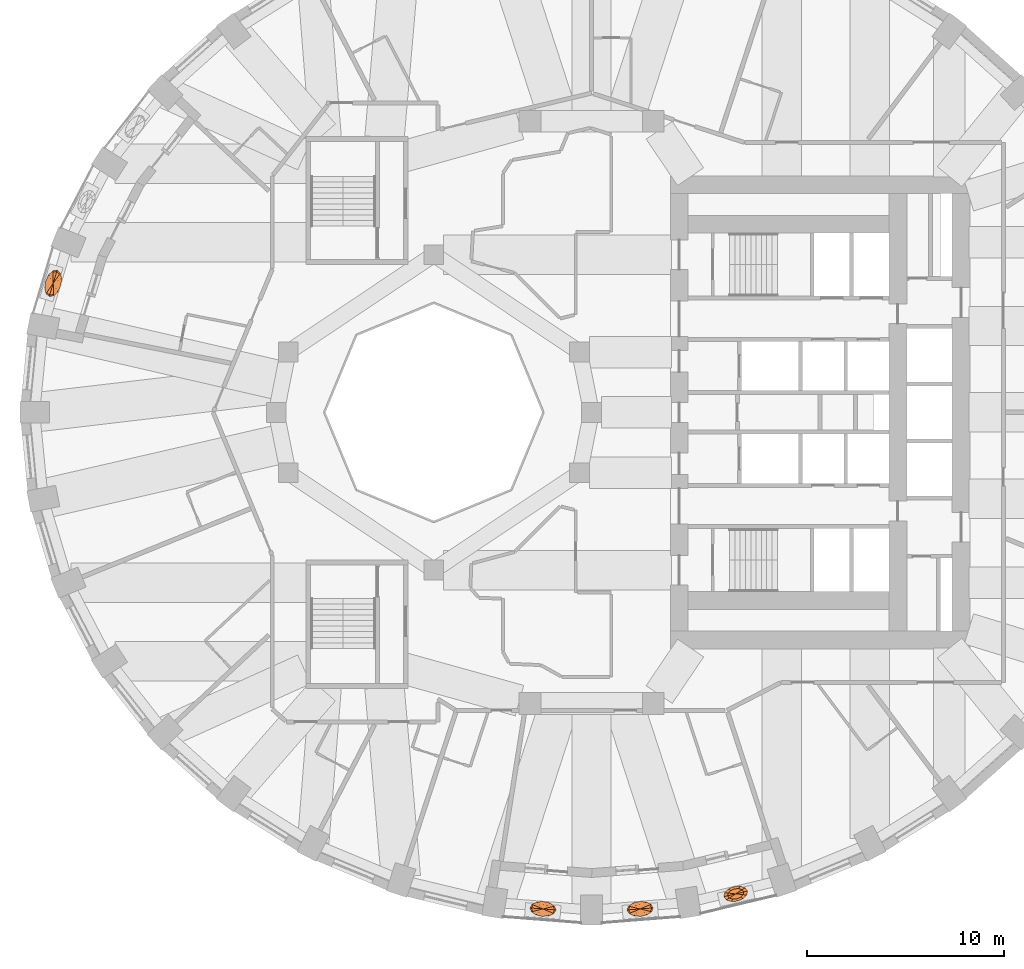
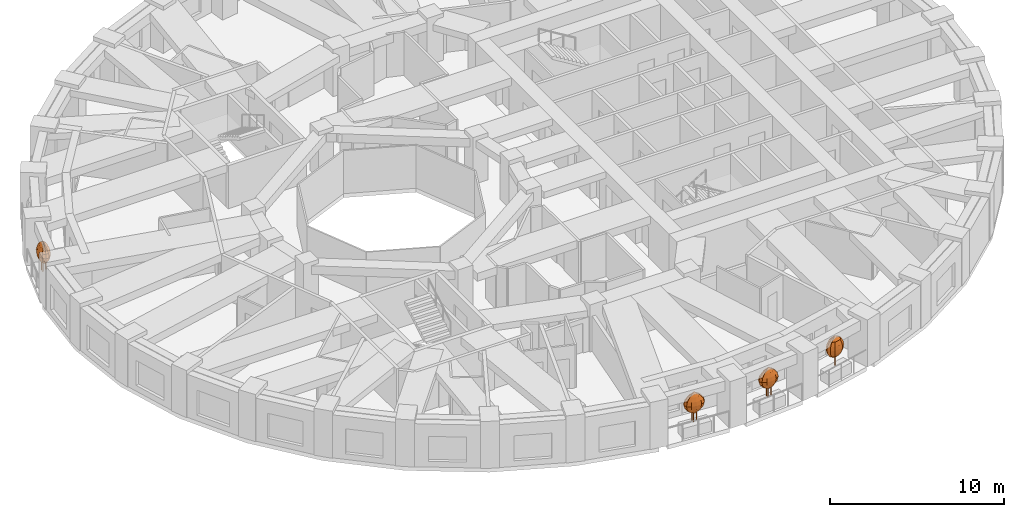
# One storey, part 12 of 13: 4 geographic elements.
"""IFC4 building model written with IfcOpenShell, lengths in metres."""

from ifc_helpers import new_model, si_unit, direction, frame, origin, place, context, subcontext, project, spatial, faceted_brep, material, constituent, constituent_set, type_object, element, save


model = new_model("IFC4")

# Units and contexts
model_context = context("Model", 3, precision=1e-05, world=origin(), true_north=direction((0.0, 1.0)))
body_context = subcontext(model_context, "Body", "Model", "MODEL_VIEW")
ifc_project = project(units=[si_unit("LENGTHUNIT", "METRE"), si_unit("AREAUNIT", "SQUARE_METRE"), si_unit("VOLUMEUNIT", "CUBIC_METRE"), si_unit("PLANEANGLEUNIT", "RADIAN"), si_unit("MASSUNIT", "GRAM", prefix="KILO")], contexts=[model_context])

# Site, building, storey
site_placement = place(None, origin())
site = spatial("IfcSite", under=ifc_project, at=site_placement, CompositionType="ELEMENT")
building_placement = place(site_placement, origin())
building = spatial("IfcBuilding", under=site, at=building_placement, Name="Taillehof Tower", CompositionType="ELEMENT")
storey_placement = place(building_placement, frame((0.0, 0.0, 77.800048828125)))
storey = spatial("IfcBuildingStorey", under=building, at=storey_placement, Name="L21", CompositionType="ELEMENT", Elevation=77.800048828125)

# Geographic elements
ifc_material_1 = material(Name="Tree bark", Category="timber")
ifc_constituent_1 = constituent(ifc_material_1, Name="Trunk", Category="timber")
ifc_material_2 = material(Name="Tree foliage")
ifc_constituent_2 = constituent(ifc_material_2, Name="Crown")
ifc_constituent_set_1 = constituent_set(constituents=[ifc_constituent_1, ifc_constituent_2], Name="Tree TR1 Columnar hornbeam")
geographic_element_type_1 = type_object("IfcGeographicElementType", Name="Tree TR1 Columnar hornbeam", PredefinedType="USERDEFINED", material=ifc_constituent_set_1)
geographic_element_1_placement = place(storey_placement, frame((7.31640625, -24.430419921875, 0.75)))
element("IfcGeographicElement", 1, at=geographic_element_1_placement, inside=storey, type_object=geographic_element_type_1, Name="Tree TR1 Columnar hornbeam", ObjectType="TREE", PredefinedType="USERDEFINED", context=body_context, shape_type="Brep", body=[
    faceted_brep([(0.030029296875, 0.0, 0.0), (0.021240234375, 0.021240234375, 0.0), (0.021240234375, 0.021240234375, 1.092529296875), (0.030029296875, 0.0, 1.092529296875), (0.0, 0.030029296875, 0.0), (0.0, 0.030029296875, 1.092529296875), (-0.021240234375, 0.021240234375, 0.0), (-0.021240234375, 0.021240234375, 1.092529296875), (-0.030029296875, 0.0, 0.0), (-0.030029296875, 0.0, 1.092529296875), (-0.021240234375, -0.021240234375, 0.0), (-0.021240234375, -0.021240234375, 1.092529296875), (0.0, -0.030029296875, 0.0), (0.0, -0.030029296875, 1.092529296875), (0.021240234375, -0.021240234375, 0.0), (0.021240234375, -0.021240234375, 1.092529296875)], [[[0, 1, 2, 3]], [[1, 4, 5, 2]], [[4, 6, 7, 5]], [[6, 8, 9, 7]], [[8, 10, 11, 9]], [[10, 12, 13, 11]], [[12, 14, 15, 13]], [[14, 0, 3, 15]], [[14, 12, 10, 8, 6, 4, 1, 0]], [[3, 2, 5, 7, 9, 11, 13, 15]]]),
    faceted_brep([(0.0, 0.0, 0.550048828125), (0.324951171875, 0.211181640625, 0.808349609375), (0.41015625, 0.09814453125, 0.808349609375), (0.15283203125, 0.267822265625, 0.808349609375), (-0.060546875, 0.25244140625, 0.808349609375), (-0.25732421875, 0.16943359375, 0.808349609375), (-0.385498046875, 0.041015625, 0.808349609375), (-0.41015625, -0.09814453125, 0.808349609375), (-0.324951171875, -0.211181640625, 0.808349609375), (-0.15283203125, -0.267822265625, 0.808349609375), (0.060546875, -0.25244140625, 0.808349609375), (0.25732421875, -0.16943359375, 0.808349609375), (0.385498046875, -0.041015625, 0.808349609375), (0.439697265625, 0.285888671875, 1.066650390625), (0.554931640625, 0.1328125, 1.066650390625), (0.20654296875, 0.362060546875, 1.066650390625), (-0.081787109375, 0.341552734375, 1.066650390625), (-0.34814453125, 0.229248046875, 1.066650390625), (-0.521484375, 0.0556640625, 1.066650390625), (-0.554931640625, -0.1328125, 1.066650390625), (-0.439697265625, -0.285888671875, 1.066650390625), (-0.20654296875, -0.362060546875, 1.066650390625), (0.081787109375, -0.341552734375, 1.066650390625), (0.34814453125, -0.229248046875, 1.066650390625), (0.521484375, -0.0556640625, 1.066650390625), (0.475830078125, 0.309326171875, 1.324951171875), (0.6005859375, 0.143798828125, 1.324951171875), (0.2236328125, 0.391845703125, 1.324951171875), (-0.088623046875, 0.36962890625, 1.324951171875), (-0.376953125, 0.248046875, 1.324951171875), (-0.564208984375, 0.060302734375, 1.324951171875), (-0.6005859375, -0.143798828125, 1.324951171875), (-0.475830078125, -0.309326171875, 1.324951171875), (-0.2236328125, -0.391845703125, 1.324951171875), (0.088623046875, -0.36962890625, 1.324951171875), (0.376953125, -0.248046875, 1.324951171875), (0.564208984375, -0.060302734375, 1.324951171875), (0.439697265625, 0.285888671875, 1.583251953125), (0.554931640625, 0.1328125, 1.583251953125), (0.20654296875, 0.362060546875, 1.583251953125), (-0.081787109375, 0.341552734375, 1.583251953125), (-0.34814453125, 0.229248046875, 1.583251953125), (-0.521484375, 0.0556640625, 1.583251953125), (-0.554931640625, -0.1328125, 1.583251953125), (-0.439697265625, -0.285888671875, 1.583251953125), (-0.20654296875, -0.362060546875, 1.583251953125), (0.081787109375, -0.341552734375, 1.583251953125), (0.34814453125, -0.229248046875, 1.583251953125), (0.521484375, -0.0556640625, 1.583251953125), (0.324951171875, 0.211181640625, 1.841552734375), (0.41015625, 0.09814453125, 1.841552734375), (0.15283203125, 0.267822265625, 1.841552734375), (-0.060546875, 0.25244140625, 1.841552734375), (-0.25732421875, 0.16943359375, 1.841552734375), (-0.385498046875, 0.041015625, 1.841552734375), (-0.41015625, -0.09814453125, 1.841552734375), (-0.324951171875, -0.211181640625, 1.841552734375), (-0.15283203125, -0.267822265625, 1.841552734375), (0.060546875, -0.25244140625, 1.841552734375), (0.25732421875, -0.16943359375, 1.841552734375), (0.385498046875, -0.041015625, 1.841552734375), (0.0, 0.0, 2.10009765625)], [[[0, 1, 2]], [[0, 3, 1]], [[0, 4, 3]], [[0, 5, 4]], [[0, 6, 5]], [[0, 7, 6]], [[0, 8, 7]], [[0, 9, 8]], [[0, 10, 9]], [[0, 11, 10]], [[0, 12, 11]], [[0, 2, 12]], [[2, 1, 13, 14]], [[1, 3, 15, 13]], [[3, 4, 16, 15]], [[4, 5, 17, 16]], [[5, 6, 18, 17]], [[6, 7, 19, 18]], [[7, 8, 20, 19]], [[8, 9, 21, 20]], [[9, 10, 22, 21]], [[10, 11, 23, 22]], [[11, 12, 24, 23]], [[12, 2, 14, 24]], [[14, 13, 25, 26]], [[13, 15, 27, 25]], [[15, 16, 28, 27]], [[16, 17, 29, 28]], [[17, 18, 30, 29]], [[18, 19, 31, 30]], [[19, 20, 32, 31]], [[20, 21, 33, 32]], [[21, 22, 34, 33]], [[22, 23, 35, 34]], [[23, 24, 36, 35]], [[24, 14, 26, 36]], [[26, 25, 37, 38]], [[25, 27, 39, 37]], [[27, 28, 40, 39]], [[28, 29, 41, 40]], [[29, 30, 42, 41]], [[30, 31, 43, 42]], [[31, 32, 44, 43]], [[32, 33, 45, 44]], [[33, 34, 46, 45]], [[34, 35, 47, 46]], [[35, 36, 48, 47]], [[36, 26, 38, 48]], [[38, 37, 49, 50]], [[37, 39, 51, 49]], [[39, 40, 52, 51]], [[40, 41, 53, 52]], [[41, 42, 54, 53]], [[42, 43, 55, 54]], [[43, 44, 56, 55]], [[44, 45, 57, 56]], [[45, 46, 58, 57]], [[46, 47, 59, 58]], [[47, 48, 60, 59]], [[48, 38, 50, 60]], [[50, 49, 61]], [[49, 51, 61]], [[51, 52, 61]], [[52, 53, 61]], [[53, 54, 61]], [[54, 55, 61]], [[55, 56, 61]], [[56, 57, 61]], [[57, 58, 61]], [[58, 59, 61]], [[59, 60, 61]], [[60, 50, 61]]]),
])
ifc_material_3 = material(Name="Tree bark", Category="timber")
ifc_constituent_3 = constituent(ifc_material_3, Name="Trunk", Category="timber")
ifc_material_4 = material(Name="Tree foliage")
ifc_constituent_4 = constituent(ifc_material_4, Name="Crown")
ifc_constituent_set_2 = constituent_set(constituents=[ifc_constituent_3, ifc_constituent_4], Name="Tree TR3 Multi-stem serviceberry")
geographic_element_type_2 = type_object("IfcGeographicElementType", Name="Tree TR3 Multi-stem serviceberry", PredefinedType="USERDEFINED", material=ifc_constituent_set_2)
geographic_element_2_placement = place(storey_placement, frame((-2.463623046875, -25.195556640625, 0.75)))
element("IfcGeographicElement", 2, at=geographic_element_2_placement, inside=storey, type_object=geographic_element_type_2, Name="Tree TR3 Multi-stem serviceberry", ObjectType="TREE", PredefinedType="USERDEFINED", context=body_context, shape_type="Brep", body=[
    faceted_brep([(0.195068359375, 0.0, 0.0), (0.186767578125, 0.0205078125, 0.0), (0.186767578125, 0.0205078125, 1.04248046875), (0.195068359375, 0.0, 1.04248046875), (0.166259765625, 0.02880859375, 0.0), (0.166259765625, 0.02880859375, 1.04248046875), (0.145751953125, 0.0205078125, 0.0), (0.145751953125, 0.0205078125, 1.04248046875), (0.137451171875, 0.0, 0.0), (0.137451171875, 0.0, 1.04248046875), (0.145751953125, -0.0205078125, 0.0), (0.145751953125, -0.0205078125, 1.04248046875), (0.166259765625, -0.02880859375, 0.0), (0.166259765625, -0.02880859375, 1.04248046875), (0.186767578125, -0.0205078125, 0.0), (0.186767578125, -0.0205078125, 1.04248046875)], [[[0, 1, 2, 3]], [[1, 4, 5, 2]], [[4, 6, 7, 5]], [[6, 8, 9, 7]], [[8, 10, 11, 9]], [[10, 12, 13, 11]], [[12, 14, 15, 13]], [[14, 0, 3, 15]], [[14, 12, 10, 8, 6, 4, 1, 0]], [[3, 2, 5, 7, 9, 11, 13, 15]]]),
    faceted_brep([(-0.05419921875, 0.082275390625, 0.0), (-0.062744140625, 0.102783203125, 0.0), (-0.062744140625, 0.102783203125, 1.04248046875), (-0.05419921875, 0.082275390625, 1.04248046875), (-0.0830078125, 0.111083984375, 0.0), (-0.0830078125, 0.111083984375, 1.04248046875), (-0.103515625, 0.102783203125, 0.0), (-0.103515625, 0.102783203125, 1.04248046875), (-0.112060546875, 0.082275390625, 0.0), (-0.112060546875, 0.082275390625, 1.04248046875), (-0.103515625, 0.061767578125, 0.0), (-0.103515625, 0.061767578125, 1.04248046875), (-0.0830078125, 0.053466796875, 0.0), (-0.0830078125, 0.053466796875, 1.04248046875), (-0.062744140625, 0.061767578125, 0.0), (-0.062744140625, 0.061767578125, 1.04248046875)], [[[0, 1, 2, 3]], [[1, 4, 5, 2]], [[4, 6, 7, 5]], [[6, 8, 9, 7]], [[8, 10, 11, 9]], [[10, 12, 13, 11]], [[12, 14, 15, 13]], [[14, 0, 3, 15]], [[14, 12, 10, 8, 6, 4, 1, 0]], [[3, 2, 5, 7, 9, 11, 13, 15]]]),
    faceted_brep([(-0.05419921875, -0.082275390625, 0.0), (-0.062744140625, -0.061767578125, 0.0), (-0.062744140625, -0.061767578125, 1.04248046875), (-0.05419921875, -0.082275390625, 1.04248046875), (-0.0830078125, -0.053466796875, 0.0), (-0.0830078125, -0.053466796875, 1.04248046875), (-0.103515625, -0.061767578125, 0.0), (-0.103515625, -0.061767578125, 1.04248046875), (-0.112060546875, -0.082275390625, 0.0), (-0.112060546875, -0.082275390625, 1.04248046875), (-0.103515625, -0.102783203125, 0.0), (-0.103515625, -0.102783203125, 1.04248046875), (-0.0830078125, -0.111083984375, 0.0), (-0.0830078125, -0.111083984375, 1.04248046875), (-0.062744140625, -0.102783203125, 0.0), (-0.062744140625, -0.102783203125, 1.04248046875)], [[[0, 1, 2, 3]], [[1, 4, 5, 2]], [[4, 6, 7, 5]], [[6, 8, 9, 7]], [[8, 10, 11, 9]], [[10, 12, 13, 11]], [[12, 14, 15, 13]], [[14, 0, 3, 15]], [[14, 12, 10, 8, 6, 4, 1, 0]], [[3, 2, 5, 7, 9, 11, 13, 15]]]),
    faceted_brep([(0.0, 0.0, 0.5), (0.33837890625, 0.0830078125, 0.75830078125), (0.380859375, -0.02978515625, 0.75830078125), (0.205078125, 0.173583984375, 0.75830078125), (0.01708984375, 0.217529296875, 0.75830078125), (-0.175537109375, 0.203369140625, 0.75830078125), (-0.3212890625, 0.134521484375, 0.75830078125), (-0.380859375, 0.02978515625, 0.75830078125), (-0.33837890625, -0.0830078125, 0.75830078125), (-0.205078125, -0.173583984375, 0.75830078125), (-0.01708984375, -0.217529296875, 0.75830078125), (0.175537109375, -0.203369140625, 0.75830078125), (0.3212890625, -0.134521484375, 0.75830078125), (0.52490234375, 0.12890625, 1.0166015625), (0.5908203125, -0.046142578125, 1.0166015625), (0.318359375, 0.269287109375, 1.0166015625), (0.0263671875, 0.337646484375, 1.0166015625), (-0.272705078125, 0.3154296875, 1.0166015625), (-0.49853515625, 0.208740234375, 1.0166015625), (-0.5908203125, 0.046142578125, 1.0166015625), (-0.52490234375, -0.12890625, 1.0166015625), (-0.318359375, -0.269287109375, 1.0166015625), (-0.0263671875, -0.337646484375, 1.0166015625), (0.272705078125, -0.3154296875, 1.0166015625), (0.49853515625, -0.208740234375, 1.0166015625), (0.5888671875, 0.14453125, 1.27490234375), (0.6630859375, -0.0517578125, 1.27490234375), (0.357177734375, 0.30224609375, 1.27490234375), (0.029541015625, 0.37890625, 1.27490234375), (-0.305908203125, 0.35400390625, 1.27490234375), (-0.559326171875, 0.234375, 1.27490234375), (-0.6630859375, 0.0517578125, 1.27490234375), (-0.5888671875, -0.14453125, 1.27490234375), (-0.357177734375, -0.30224609375, 1.27490234375), (-0.029541015625, -0.37890625, 1.27490234375), (0.305908203125, -0.35400390625, 1.27490234375), (0.559326171875, -0.234375, 1.27490234375), (0.52490234375, 0.12890625, 1.533447265625), (0.5908203125, -0.046142578125, 1.533447265625), (0.318359375, 0.269287109375, 1.533447265625), (0.0263671875, 0.337646484375, 1.533447265625), (-0.272705078125, 0.3154296875, 1.533447265625), (-0.49853515625, 0.208740234375, 1.533447265625), (-0.5908203125, 0.046142578125, 1.533447265625), (-0.52490234375, -0.12890625, 1.533447265625), (-0.318359375, -0.269287109375, 1.533447265625), (-0.0263671875, -0.337646484375, 1.533447265625), (0.272705078125, -0.3154296875, 1.533447265625), (0.49853515625, -0.208740234375, 1.533447265625), (0.33837890625, 0.0830078125, 1.791748046875), (0.380859375, -0.02978515625, 1.791748046875), (0.205078125, 0.173583984375, 1.791748046875), (0.01708984375, 0.217529296875, 1.791748046875), (-0.175537109375, 0.203369140625, 1.791748046875), (-0.3212890625, 0.134521484375, 1.791748046875), (-0.380859375, 0.02978515625, 1.791748046875), (-0.33837890625, -0.0830078125, 1.791748046875), (-0.205078125, -0.173583984375, 1.791748046875), (-0.01708984375, -0.217529296875, 1.791748046875), (0.175537109375, -0.203369140625, 1.791748046875), (0.3212890625, -0.134521484375, 1.791748046875), (0.0, 0.0, 2.050048828125)], [[[0, 1, 2]], [[0, 3, 1]], [[0, 4, 3]], [[0, 5, 4]], [[0, 6, 5]], [[0, 7, 6]], [[0, 8, 7]], [[0, 9, 8]], [[0, 10, 9]], [[0, 11, 10]], [[0, 12, 11]], [[0, 2, 12]], [[2, 1, 13, 14]], [[1, 3, 15, 13]], [[3, 4, 16, 15]], [[4, 5, 17, 16]], [[5, 6, 18, 17]], [[6, 7, 19, 18]], [[7, 8, 20, 19]], [[8, 9, 21, 20]], [[9, 10, 22, 21]], [[10, 11, 23, 22]], [[11, 12, 24, 23]], [[12, 2, 14, 24]], [[14, 13, 25, 26]], [[13, 15, 27, 25]], [[15, 16, 28, 27]], [[16, 17, 29, 28]], [[17, 18, 30, 29]], [[18, 19, 31, 30]], [[19, 20, 32, 31]], [[20, 21, 33, 32]], [[21, 22, 34, 33]], [[22, 23, 35, 34]], [[23, 24, 36, 35]], [[24, 14, 26, 36]], [[26, 25, 37, 38]], [[25, 27, 39, 37]], [[27, 28, 40, 39]], [[28, 29, 41, 40]], [[29, 30, 42, 41]], [[30, 31, 43, 42]], [[31, 32, 44, 43]], [[32, 33, 45, 44]], [[33, 34, 46, 45]], [[34, 35, 47, 46]], [[35, 36, 48, 47]], [[36, 26, 38, 48]], [[38, 37, 49, 50]], [[37, 39, 51, 49]], [[39, 40, 52, 51]], [[40, 41, 53, 52]], [[41, 42, 54, 53]], [[42, 43, 55, 54]], [[43, 44, 56, 55]], [[44, 45, 57, 56]], [[45, 46, 58, 57]], [[46, 47, 59, 58]], [[47, 48, 60, 59]], [[48, 38, 50, 60]], [[50, 49, 61]], [[49, 51, 61]], [[51, 52, 61]], [[52, 53, 61]], [[53, 54, 61]], [[54, 55, 61]], [[55, 56, 61]], [[56, 57, 61]], [[57, 58, 61]], [[58, 59, 61]], [[59, 60, 61]], [[60, 50, 61]]]),
])
geographic_element_3_placement = place(storey_placement, frame((2.463623046875, -25.195556640625, 0.75)))
element("IfcGeographicElement", 3, at=geographic_element_3_placement, inside=storey, type_object=geographic_element_type_2, Name="Tree TR3 Multi-stem serviceberry", ObjectType="TREE", PredefinedType="USERDEFINED", context=body_context, shape_type="Brep", body=[
    faceted_brep([(0.195068359375, 0.0, 0.0), (0.186767578125, 0.0205078125, 0.0), (0.186767578125, 0.0205078125, 1.04248046875), (0.195068359375, 0.0, 1.04248046875), (0.166259765625, 0.02880859375, 0.0), (0.166259765625, 0.02880859375, 1.04248046875), (0.145751953125, 0.0205078125, 0.0), (0.145751953125, 0.0205078125, 1.04248046875), (0.137451171875, 0.0, 0.0), (0.137451171875, 0.0, 1.04248046875), (0.145751953125, -0.0205078125, 0.0), (0.145751953125, -0.0205078125, 1.04248046875), (0.166259765625, -0.02880859375, 0.0), (0.166259765625, -0.02880859375, 1.04248046875), (0.186767578125, -0.0205078125, 0.0), (0.186767578125, -0.0205078125, 1.04248046875)], [[[0, 1, 2, 3]], [[1, 4, 5, 2]], [[4, 6, 7, 5]], [[6, 8, 9, 7]], [[8, 10, 11, 9]], [[10, 12, 13, 11]], [[12, 14, 15, 13]], [[14, 0, 3, 15]], [[14, 12, 10, 8, 6, 4, 1, 0]], [[3, 2, 5, 7, 9, 11, 13, 15]]]),
    faceted_brep([(-0.05419921875, 0.082275390625, 0.0), (-0.062744140625, 0.102783203125, 0.0), (-0.062744140625, 0.102783203125, 1.04248046875), (-0.05419921875, 0.082275390625, 1.04248046875), (-0.0830078125, 0.111083984375, 0.0), (-0.0830078125, 0.111083984375, 1.04248046875), (-0.103515625, 0.102783203125, 0.0), (-0.103515625, 0.102783203125, 1.04248046875), (-0.112060546875, 0.082275390625, 0.0), (-0.112060546875, 0.082275390625, 1.04248046875), (-0.103515625, 0.061767578125, 0.0), (-0.103515625, 0.061767578125, 1.04248046875), (-0.0830078125, 0.053466796875, 0.0), (-0.0830078125, 0.053466796875, 1.04248046875), (-0.062744140625, 0.061767578125, 0.0), (-0.062744140625, 0.061767578125, 1.04248046875)], [[[0, 1, 2, 3]], [[1, 4, 5, 2]], [[4, 6, 7, 5]], [[6, 8, 9, 7]], [[8, 10, 11, 9]], [[10, 12, 13, 11]], [[12, 14, 15, 13]], [[14, 0, 3, 15]], [[14, 12, 10, 8, 6, 4, 1, 0]], [[3, 2, 5, 7, 9, 11, 13, 15]]]),
    faceted_brep([(-0.05419921875, -0.082275390625, 0.0), (-0.062744140625, -0.061767578125, 0.0), (-0.062744140625, -0.061767578125, 1.04248046875), (-0.05419921875, -0.082275390625, 1.04248046875), (-0.0830078125, -0.053466796875, 0.0), (-0.0830078125, -0.053466796875, 1.04248046875), (-0.103515625, -0.061767578125, 0.0), (-0.103515625, -0.061767578125, 1.04248046875), (-0.112060546875, -0.082275390625, 0.0), (-0.112060546875, -0.082275390625, 1.04248046875), (-0.103515625, -0.102783203125, 0.0), (-0.103515625, -0.102783203125, 1.04248046875), (-0.0830078125, -0.111083984375, 0.0), (-0.0830078125, -0.111083984375, 1.04248046875), (-0.062744140625, -0.102783203125, 0.0), (-0.062744140625, -0.102783203125, 1.04248046875)], [[[0, 1, 2, 3]], [[1, 4, 5, 2]], [[4, 6, 7, 5]], [[6, 8, 9, 7]], [[8, 10, 11, 9]], [[10, 12, 13, 11]], [[12, 14, 15, 13]], [[14, 0, 3, 15]], [[14, 12, 10, 8, 6, 4, 1, 0]], [[3, 2, 5, 7, 9, 11, 13, 15]]]),
    faceted_brep([(0.0, 0.0, 0.5), (0.3212890625, 0.134521484375, 0.75830078125), (0.380859375, 0.02978515625, 0.75830078125), (0.175537109375, 0.203369140625, 0.75830078125), (-0.01708984375, 0.217529296875, 0.75830078125), (-0.205078125, 0.173583984375, 0.75830078125), (-0.33837890625, 0.0830078125, 0.75830078125), (-0.380859375, -0.02978515625, 0.75830078125), (-0.3212890625, -0.134521484375, 0.75830078125), (-0.175537109375, -0.203369140625, 0.75830078125), (0.01708984375, -0.217529296875, 0.75830078125), (0.205078125, -0.173583984375, 0.75830078125), (0.33837890625, -0.0830078125, 0.75830078125), (0.49853515625, 0.208740234375, 1.0166015625), (0.5908203125, 0.046142578125, 1.0166015625), (0.272705078125, 0.3154296875, 1.0166015625), (-0.0263671875, 0.337646484375, 1.0166015625), (-0.318359375, 0.269287109375, 1.0166015625), (-0.52490234375, 0.12890625, 1.0166015625), (-0.5908203125, -0.046142578125, 1.0166015625), (-0.49853515625, -0.208740234375, 1.0166015625), (-0.272705078125, -0.3154296875, 1.0166015625), (0.0263671875, -0.337646484375, 1.0166015625), (0.318359375, -0.269287109375, 1.0166015625), (0.52490234375, -0.12890625, 1.0166015625), (0.559326171875, 0.234375, 1.27490234375), (0.6630859375, 0.0517578125, 1.27490234375), (0.305908203125, 0.35400390625, 1.27490234375), (-0.029541015625, 0.37890625, 1.27490234375), (-0.357177734375, 0.30224609375, 1.27490234375), (-0.5888671875, 0.14453125, 1.27490234375), (-0.6630859375, -0.0517578125, 1.27490234375), (-0.559326171875, -0.234375, 1.27490234375), (-0.305908203125, -0.35400390625, 1.27490234375), (0.029541015625, -0.37890625, 1.27490234375), (0.357177734375, -0.30224609375, 1.27490234375), (0.5888671875, -0.14453125, 1.27490234375), (0.49853515625, 0.208740234375, 1.533447265625), (0.5908203125, 0.046142578125, 1.533447265625), (0.272705078125, 0.3154296875, 1.533447265625), (-0.0263671875, 0.337646484375, 1.533447265625), (-0.318359375, 0.269287109375, 1.533447265625), (-0.52490234375, 0.12890625, 1.533447265625), (-0.5908203125, -0.046142578125, 1.533447265625), (-0.49853515625, -0.208740234375, 1.533447265625), (-0.272705078125, -0.3154296875, 1.533447265625), (0.0263671875, -0.337646484375, 1.533447265625), (0.318359375, -0.269287109375, 1.533447265625), (0.52490234375, -0.12890625, 1.533447265625), (0.3212890625, 0.134521484375, 1.791748046875), (0.380859375, 0.02978515625, 1.791748046875), (0.175537109375, 0.203369140625, 1.791748046875), (-0.01708984375, 0.217529296875, 1.791748046875), (-0.205078125, 0.173583984375, 1.791748046875), (-0.33837890625, 0.0830078125, 1.791748046875), (-0.380859375, -0.02978515625, 1.791748046875), (-0.3212890625, -0.134521484375, 1.791748046875), (-0.175537109375, -0.203369140625, 1.791748046875), (0.01708984375, -0.217529296875, 1.791748046875), (0.205078125, -0.173583984375, 1.791748046875), (0.33837890625, -0.0830078125, 1.791748046875), (0.0, 0.0, 2.050048828125)], [[[0, 1, 2]], [[0, 3, 1]], [[0, 4, 3]], [[0, 5, 4]], [[0, 6, 5]], [[0, 7, 6]], [[0, 8, 7]], [[0, 9, 8]], [[0, 10, 9]], [[0, 11, 10]], [[0, 12, 11]], [[0, 2, 12]], [[2, 1, 13, 14]], [[1, 3, 15, 13]], [[3, 4, 16, 15]], [[4, 5, 17, 16]], [[5, 6, 18, 17]], [[6, 7, 19, 18]], [[7, 8, 20, 19]], [[8, 9, 21, 20]], [[9, 10, 22, 21]], [[10, 11, 23, 22]], [[11, 12, 24, 23]], [[12, 2, 14, 24]], [[14, 13, 25, 26]], [[13, 15, 27, 25]], [[15, 16, 28, 27]], [[16, 17, 29, 28]], [[17, 18, 30, 29]], [[18, 19, 31, 30]], [[19, 20, 32, 31]], [[20, 21, 33, 32]], [[21, 22, 34, 33]], [[22, 23, 35, 34]], [[23, 24, 36, 35]], [[24, 14, 26, 36]], [[26, 25, 37, 38]], [[25, 27, 39, 37]], [[27, 28, 40, 39]], [[28, 29, 41, 40]], [[29, 30, 42, 41]], [[30, 31, 43, 42]], [[31, 32, 44, 43]], [[32, 33, 45, 44]], [[33, 34, 46, 45]], [[34, 35, 47, 46]], [[35, 36, 48, 47]], [[36, 26, 38, 48]], [[38, 37, 49, 50]], [[37, 39, 51, 49]], [[39, 40, 52, 51]], [[40, 41, 53, 52]], [[41, 42, 54, 53]], [[42, 43, 55, 54]], [[43, 44, 56, 55]], [[44, 45, 57, 56]], [[45, 46, 58, 57]], [[46, 47, 59, 58]], [[47, 48, 60, 59]], [[48, 38, 50, 60]], [[50, 49, 61]], [[49, 51, 61]], [[51, 52, 61]], [[52, 53, 61]], [[53, 54, 61]], [[54, 55, 61]], [[55, 56, 61]], [[56, 57, 61]], [[57, 58, 61]], [[58, 59, 61]], [[59, 60, 61]], [[60, 50, 61]]]),
])
geographic_element_4_placement = place(storey_placement, frame((-27.314697265625, 6.548583984375, 0.75)))
element("IfcGeographicElement", 4, at=geographic_element_4_placement, inside=storey, type_object=geographic_element_type_2, Name="Tree TR3 Multi-stem serviceberry", ObjectType="TREE", PredefinedType="USERDEFINED", context=body_context, shape_type="Brep", body=[
    faceted_brep([(0.203857421875, 0.0, 0.0), (0.1953125, 0.0205078125, 0.0), (0.1953125, 0.0205078125, 1.04248046875), (0.203857421875, 0.0, 1.04248046875), (0.175048828125, 0.02880859375, 0.0), (0.175048828125, 0.02880859375, 1.04248046875), (0.154541015625, 0.0205078125, 0.0), (0.154541015625, 0.0205078125, 1.04248046875), (0.146240234375, 0.0, 0.0), (0.146240234375, 0.0, 1.04248046875), (0.154541015625, -0.0205078125, 0.0), (0.154541015625, -0.0205078125, 1.04248046875), (0.175048828125, -0.02880859375, 0.0), (0.175048828125, -0.02880859375, 1.04248046875), (0.1953125, -0.0205078125, 0.0), (0.1953125, -0.0205078125, 1.04248046875)], [[[0, 1, 2, 3]], [[1, 4, 5, 2]], [[4, 6, 7, 5]], [[6, 8, 9, 7]], [[8, 10, 11, 9]], [[10, 12, 13, 11]], [[12, 14, 15, 13]], [[14, 0, 3, 15]], [[14, 12, 10, 8, 6, 4, 1, 0]], [[3, 2, 5, 7, 9, 11, 13, 15]]]),
    faceted_brep([(-0.05859375, 0.086669921875, 0.0), (-0.067138671875, 0.10693359375, 0.0), (-0.067138671875, 0.10693359375, 1.04248046875), (-0.05859375, 0.086669921875, 1.04248046875), (-0.08740234375, 0.115478515625, 0.0), (-0.08740234375, 0.115478515625, 1.04248046875), (-0.10791015625, 0.10693359375, 0.0), (-0.10791015625, 0.10693359375, 1.04248046875), (-0.116455078125, 0.086669921875, 0.0), (-0.116455078125, 0.086669921875, 1.04248046875), (-0.10791015625, 0.066162109375, 0.0), (-0.10791015625, 0.066162109375, 1.04248046875), (-0.08740234375, 0.0576171875, 0.0), (-0.08740234375, 0.0576171875, 1.04248046875), (-0.067138671875, 0.066162109375, 0.0), (-0.067138671875, 0.066162109375, 1.04248046875)], [[[0, 1, 2, 3]], [[1, 4, 5, 2]], [[4, 6, 7, 5]], [[6, 8, 9, 7]], [[8, 10, 11, 9]], [[10, 12, 13, 11]], [[12, 14, 15, 13]], [[14, 0, 3, 15]], [[14, 12, 10, 8, 6, 4, 1, 0]], [[3, 2, 5, 7, 9, 11, 13, 15]]]),
    faceted_brep([(-0.05859375, -0.086669921875, 0.0), (-0.067138671875, -0.066162109375, 0.0), (-0.067138671875, -0.066162109375, 1.04248046875), (-0.05859375, -0.086669921875, 1.04248046875), (-0.08740234375, -0.0576171875, 0.0), (-0.08740234375, -0.0576171875, 1.04248046875), (-0.10791015625, -0.066162109375, 0.0), (-0.10791015625, -0.066162109375, 1.04248046875), (-0.116455078125, -0.086669921875, 0.0), (-0.116455078125, -0.086669921875, 1.04248046875), (-0.10791015625, -0.10693359375, 0.0), (-0.10791015625, -0.10693359375, 1.04248046875), (-0.08740234375, -0.115478515625, 0.0), (-0.08740234375, -0.115478515625, 1.04248046875), (-0.067138671875, -0.10693359375, 0.0), (-0.067138671875, -0.10693359375, 1.04248046875)], [[[0, 1, 2, 3]], [[1, 4, 5, 2]], [[4, 6, 7, 5]], [[6, 8, 9, 7]], [[8, 10, 11, 9]], [[10, 12, 13, 11]], [[12, 14, 15, 13]], [[14, 0, 3, 15]], [[14, 12, 10, 8, 6, 4, 1, 0]], [[3, 2, 5, 7, 9, 11, 13, 15]]]),
    faceted_brep([(0.0, 0.0, 0.5), (0.010009765625, -0.366455078125, 0.75830078125), (-0.115478515625, -0.385009765625, 0.75830078125), (0.1328125, -0.249755859375, 0.75830078125), (0.219970703125, -0.06591796875, 0.75830078125), (0.248291015625, 0.135498046875, 0.75830078125), (0.2099609375, 0.300537109375, 0.75830078125), (0.115478515625, 0.385009765625, 0.75830078125), (-0.010009765625, 0.366455078125, 0.75830078125), (-0.1328125, 0.249755859375, 0.75830078125), (-0.219970703125, 0.06591796875, 0.75830078125), (-0.248291015625, -0.135498046875, 0.75830078125), (-0.2099609375, -0.300537109375, 0.75830078125), (0.015625, -0.56884765625, 1.0166015625), (-0.17919921875, -0.59765625, 1.0166015625), (0.206298828125, -0.387451171875, 1.0166015625), (0.341552734375, -0.102294921875, 1.0166015625), (0.38525390625, 0.210205078125, 1.0166015625), (0.325927734375, 0.46630859375, 1.0166015625), (0.17919921875, 0.59765625, 1.0166015625), (-0.015625, 0.56884765625, 1.0166015625), (-0.206298828125, 0.387451171875, 1.0166015625), (-0.341552734375, 0.102294921875, 1.0166015625), (-0.38525390625, -0.210205078125, 1.0166015625), (-0.325927734375, -0.46630859375, 1.0166015625), (0.017578125, -0.63818359375, 1.27490234375), (-0.200927734375, -0.67041015625, 1.27490234375), (0.2314453125, -0.434814453125, 1.27490234375), (0.383056640625, -0.11474609375, 1.27490234375), (0.432373046875, 0.23583984375, 1.27490234375), (0.36572265625, 0.523193359375, 1.27490234375), (0.200927734375, 0.67041015625, 1.27490234375), (-0.017578125, 0.63818359375, 1.27490234375), (-0.2314453125, 0.434814453125, 1.27490234375), (-0.383056640625, 0.11474609375, 1.27490234375), (-0.432373046875, -0.23583984375, 1.27490234375), (-0.36572265625, -0.523193359375, 1.27490234375), (0.015625, -0.56884765625, 1.533447265625), (-0.17919921875, -0.59765625, 1.533447265625), (0.206298828125, -0.387451171875, 1.533447265625), (0.341552734375, -0.102294921875, 1.533447265625), (0.38525390625, 0.210205078125, 1.533447265625), (0.325927734375, 0.46630859375, 1.533447265625), (0.17919921875, 0.59765625, 1.533447265625), (-0.015625, 0.56884765625, 1.533447265625), (-0.206298828125, 0.387451171875, 1.533447265625), (-0.341552734375, 0.102294921875, 1.533447265625), (-0.38525390625, -0.210205078125, 1.533447265625), (-0.325927734375, -0.46630859375, 1.533447265625), (0.010009765625, -0.366455078125, 1.791748046875), (-0.115478515625, -0.385009765625, 1.791748046875), (0.1328125, -0.249755859375, 1.791748046875), (0.219970703125, -0.06591796875, 1.791748046875), (0.248291015625, 0.135498046875, 1.791748046875), (0.2099609375, 0.300537109375, 1.791748046875), (0.115478515625, 0.385009765625, 1.791748046875), (-0.010009765625, 0.366455078125, 1.791748046875), (-0.1328125, 0.249755859375, 1.791748046875), (-0.219970703125, 0.06591796875, 1.791748046875), (-0.248291015625, -0.135498046875, 1.791748046875), (-0.2099609375, -0.300537109375, 1.791748046875), (0.0, 0.0, 2.050048828125)], [[[0, 1, 2]], [[0, 3, 1]], [[0, 4, 3]], [[0, 5, 4]], [[0, 6, 5]], [[0, 7, 6]], [[0, 8, 7]], [[0, 9, 8]], [[0, 10, 9]], [[0, 11, 10]], [[0, 12, 11]], [[0, 2, 12]], [[2, 1, 13, 14]], [[1, 3, 15, 13]], [[3, 4, 16, 15]], [[4, 5, 17, 16]], [[5, 6, 18, 17]], [[6, 7, 19, 18]], [[7, 8, 20, 19]], [[8, 9, 21, 20]], [[9, 10, 22, 21]], [[10, 11, 23, 22]], [[11, 12, 24, 23]], [[12, 2, 14, 24]], [[14, 13, 25, 26]], [[13, 15, 27, 25]], [[15, 16, 28, 27]], [[16, 17, 29, 28]], [[17, 18, 30, 29]], [[18, 19, 31, 30]], [[19, 20, 32, 31]], [[20, 21, 33, 32]], [[21, 22, 34, 33]], [[22, 23, 35, 34]], [[23, 24, 36, 35]], [[24, 14, 26, 36]], [[26, 25, 37, 38]], [[25, 27, 39, 37]], [[27, 28, 40, 39]], [[28, 29, 41, 40]], [[29, 30, 42, 41]], [[30, 31, 43, 42]], [[31, 32, 44, 43]], [[32, 33, 45, 44]], [[33, 34, 46, 45]], [[34, 35, 47, 46]], [[35, 36, 48, 47]], [[36, 26, 38, 48]], [[38, 37, 49, 50]], [[37, 39, 51, 49]], [[39, 40, 52, 51]], [[40, 41, 53, 52]], [[41, 42, 54, 53]], [[42, 43, 55, 54]], [[43, 44, 56, 55]], [[44, 45, 57, 56]], [[45, 46, 58, 57]], [[46, 47, 59, 58]], [[47, 48, 60, 59]], [[48, 38, 50, 60]], [[50, 49, 61]], [[49, 51, 61]], [[51, 52, 61]], [[52, 53, 61]], [[53, 54, 61]], [[54, 55, 61]], [[55, 56, 61]], [[56, 57, 61]], [[57, 58, 61]], [[58, 59, 61]], [[59, 60, 61]], [[60, 50, 61]]]),
])

save(model, "model.ifc")
